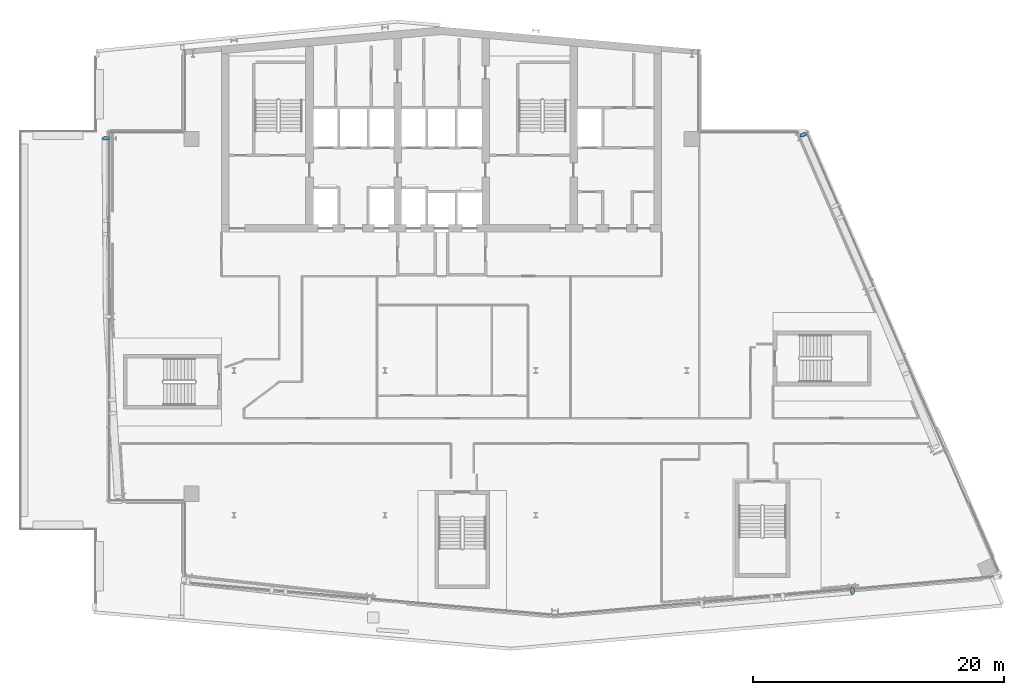
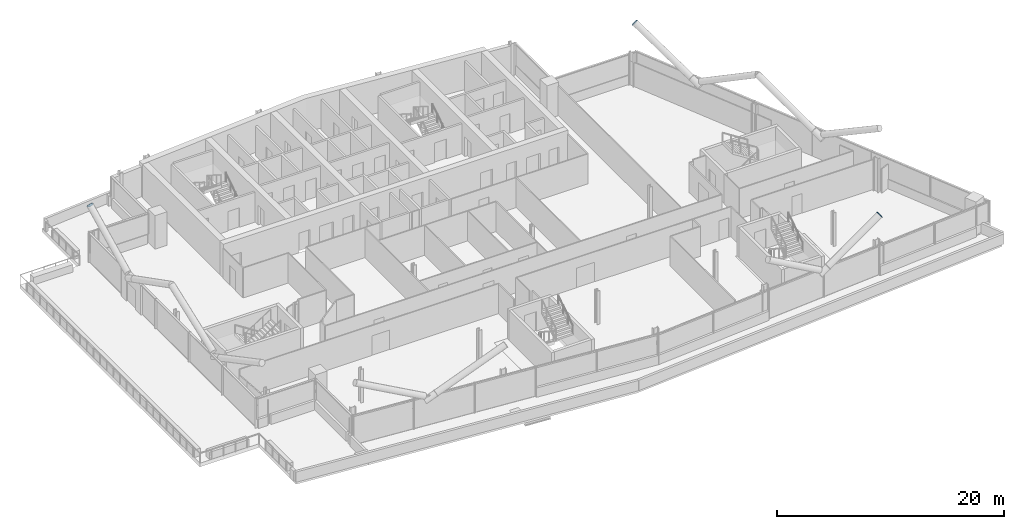
# One storey, part 22 of 27: 3 discrete accessories.
"""IFC4 building model written with IfcOpenShell, lengths in metres."""

from ifc_helpers import new_model, si_unit, direction, frame, origin, origin_2d, place, context, subcontext, project, spatial, circle, extrude, material, material_profile, profile_set, type_object, element, save


model = new_model("IFC4")

# Units and contexts
model_context = context("Model", 3, precision=1e-05, world=origin(), true_north=direction((0.0, 1.0)))
body_context = subcontext(model_context, "Body", "Model", "MODEL_VIEW")
ifc_project = project(units=[si_unit("LENGTHUNIT", "METRE"), si_unit("AREAUNIT", "SQUARE_METRE"), si_unit("VOLUMEUNIT", "CUBIC_METRE"), si_unit("PLANEANGLEUNIT", "RADIAN"), si_unit("MASSUNIT", "GRAM", prefix="KILO")], contexts=[model_context])

# Site, building, storey
site_placement = place(None, origin())
site = spatial("IfcSite", under=ifc_project, at=site_placement, CompositionType="ELEMENT")
building_placement = place(site_placement, origin())
building = spatial("IfcBuilding", under=site, at=building_placement, Name="Wharfspan Tower", CompositionType="ELEMENT")
storey_placement = place(building_placement, frame((0.0, 0.0, 207.100098)))
storey = spatial("IfcBuildingStorey", under=building, at=storey_placement, Name="L51", CompositionType="ELEMENT", Elevation=207.100098)

# Discrete accessories
ifc_material = material(Name="Steel S460NH", Category="steel")
ifc_material_profile = material_profile(ifc_material, circle(Radius=0.304932, at=origin_2d()))
ifc_profile_set = profile_set([ifc_material_profile], Name="Steel S460NH")
discrete_accessory_type = type_object("IfcDiscreteAccessoryType", Name="End plate CHS 610x25", PredefinedType="BRACKET", material=ifc_profile_set)
discrete_accessory_1_placement = place(storey_placement, frame((73.175049, 5.469971, 6.5), z_axis=(0.853405, 0.097532, 0.512043), x_axis=(-0.113547, 0.993531, 1e-06)))
element("IfcDiscreteAccessory", 1, at=discrete_accessory_1_placement, inside=storey, type_object=discrete_accessory_type, Name="End plate CHS 610x25", PredefinedType="BRACKET", context=body_context, shape_type="SweptSolid", body=[
    extrude(circle(Radius=0.304932, at=origin_2d()), origin(), (0.0, 0.0, 1.0), 0.01001),
])
discrete_accessory_2_placement = place(storey_placement, frame((13.792969, 41.459717, 6.5), z_axis=(0.0, 0.894427, 0.447214), x_axis=(-1.0, 0.0, 0.0)))
element("IfcDiscreteAccessory", 2, at=discrete_accessory_2_placement, inside=storey, type_object=discrete_accessory_type, Name="End plate CHS 610x25", PredefinedType="BRACKET", context=body_context, shape_type="SweptSolid", body=[
    extrude(circle(Radius=0.304932, at=origin_2d()), origin(), (0.0, 0.0, 1.0), 0.009766),
])
discrete_accessory_3_placement = place(storey_placement, frame((69.284424, 41.753662, 6.5), z_axis=(-0.345075, 0.81339, 0.468316), x_axis=(-0.920586, -0.390551, -2e-06)))
element("IfcDiscreteAccessory", 3, at=discrete_accessory_3_placement, inside=storey, type_object=discrete_accessory_type, Name="End plate CHS 610x25", PredefinedType="BRACKET", context=body_context, shape_type="SweptSolid", body=[
    extrude(circle(Radius=0.304932, at=origin_2d()), origin(), (0.0, 0.0, 1.0), 0.01001),
])

save(model, "model.ifc")
